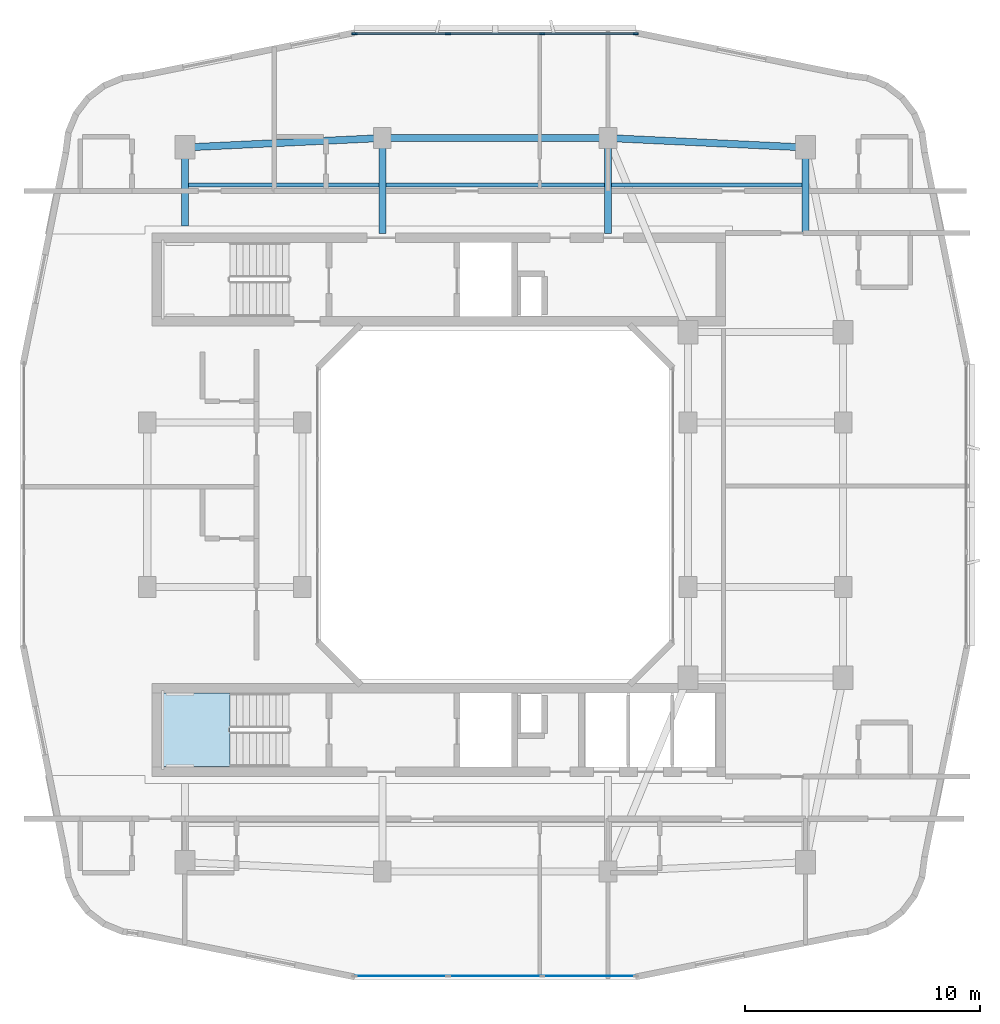
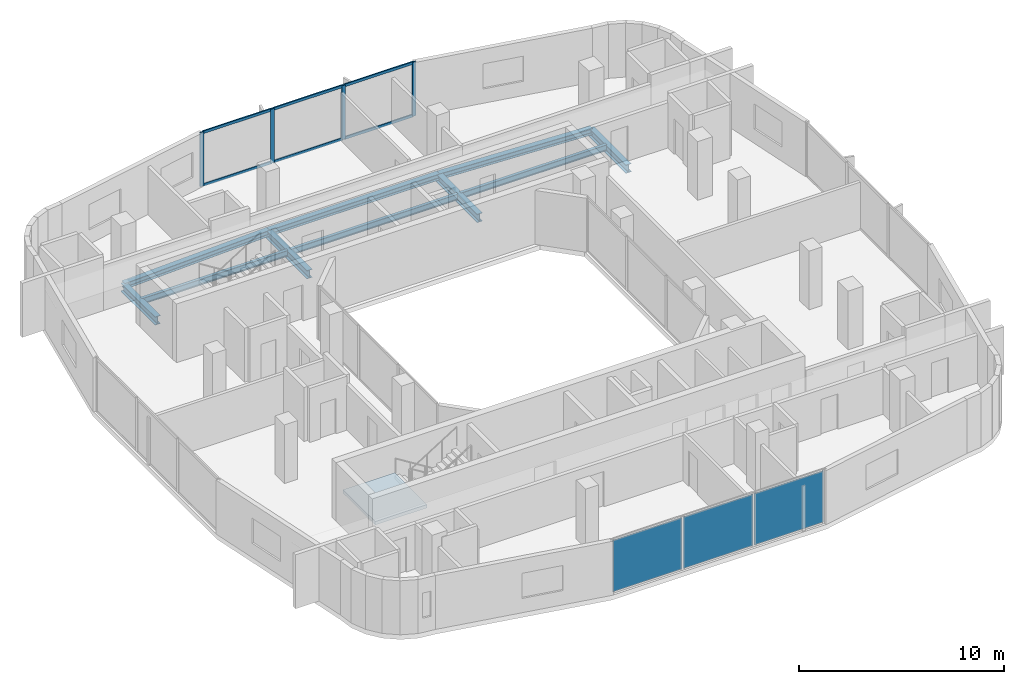
# One storey, part 5 of 14: 10 beams, 10 members, 3 plates, 1 slab, 3 elements without a shape of their own.
"""IFC4 building model written with IfcOpenShell, lengths in metres."""

from ifc_helpers import new_model, si_unit, derived_unit, direction, frame, origin, origin_2d, place, context, subcontext, project, spatial, polyline, rectangle, i_section, outline, extrude, material, layer, layer_set, material_profile, profile_set, type_object, element, aggregate, save


model = new_model("IFC4")

# Units and contexts
model_context = context("Model", 3, precision=1e-05, world=origin(), true_north=direction((0.0, 1.0)))
body_context = subcontext(model_context, "Body", "Model", "MODEL_VIEW")
ifc_project = project(units=[si_unit("LENGTHUNIT", "METRE"), si_unit("AREAUNIT", "SQUARE_METRE"), si_unit("VOLUMEUNIT", "CUBIC_METRE"), si_unit("PLANEANGLEUNIT", "RADIAN"), si_unit("MASSUNIT", "GRAM", prefix="KILO"), derived_unit("THERMALTRANSMITTANCEUNIT", [(si_unit("POWERUNIT", "WATT"), 1), (si_unit("LENGTHUNIT", "METRE"), -2), (si_unit("THERMODYNAMICTEMPERATUREUNIT", "KELVIN"), -1)])], contexts=[model_context])

# Site, building, storey
site_placement = place(None, origin())
site = spatial("IfcSite", under=ifc_project, at=site_placement, CompositionType="ELEMENT")
building_placement = place(site_placement, origin())
building = spatial("IfcBuilding", under=site, at=building_placement, Name="Kivonza Crest Hotel", CompositionType="ELEMENT")
storey_placement = place(building_placement, frame((0.0, 0.0, 138.0)))
storey = spatial("IfcBuildingStorey", under=building, at=storey_placement, Name="L37", CompositionType="ELEMENT", Elevation=138.0)

# Beams
ifc_material_1 = material(Name="Steel S355", Category="steel")
ifc_material_profile_1 = material_profile(ifc_material_1, i_section(OverallWidth=0.300048828125, OverallDepth=0.360107421875, WebThickness=0.012451171875, FlangeThickness=0.0224609375, FilletRadius=0.027099609375, at=origin_2d()), Name="HEB 360")
ifc_profile_set_1 = profile_set([ifc_material_profile_1], Name="Steel S355")
beam_type_1 = type_object("IfcBeamType", Name="BM-HEB360", PredefinedType="SPANDREL", material=ifc_profile_set_1)
beam_1_placement = place(storey_placement, frame((34.199951171875, 40.199951171875, -0.4599609375), z_axis=(-0.998867283688, 0.047583080799, 0.0), x_axis=(-0.047583080799, -0.998867283688, 0.0)))
element("IfcBeam", 1, at=beam_1_placement, inside=storey, type_object=beam_type_1, Name="Tower T1 L37 perimeter spandrel NE-N2", PredefinedType="SPANDREL", context=body_context, shape_type="SweptSolid", body=[
    extrude(i_section(OverallWidth=0.300048828125, OverallDepth=0.360107421875, WebThickness=0.012451171875, FlangeThickness=0.0224609375, FilletRadius=0.027099609375, at=origin_2d()), origin(), (0.0, 0.0, 1.0), 8.409423828125),
])
beam_2_placement = place(storey_placement, frame((25.800048828125, 40.60009765625, -0.4599609375), z_axis=(-1.0, 0.0, 0.0), x_axis=(0.0, -1.0, 0.0)))
element("IfcBeam", 2, at=beam_2_placement, inside=storey, type_object=beam_type_1, Name="Tower T1 L37 perimeter spandrel N2-N1", PredefinedType="SPANDREL", context=body_context, shape_type="SweptSolid", body=[
    extrude(i_section(OverallWidth=0.300048828125, OverallDepth=0.360107421875, WebThickness=0.012451171875, FlangeThickness=0.0224609375, FilletRadius=0.027099609375, at=origin_2d()), origin(), (0.0, 0.0, 1.0), 9.60009765625),
])
beam_3_placement = place(storey_placement, frame((16.199951171875, 40.60009765625, -0.4599609375), z_axis=(-0.998867283688, -0.047583080799, 0.0), x_axis=(0.047583080799, -0.998867283688, 0.0)))
element("IfcBeam", 3, at=beam_3_placement, inside=storey, type_object=beam_type_1, Name="Tower T1 L37 perimeter spandrel N1-NW", PredefinedType="SPANDREL", context=body_context, shape_type="SweptSolid", body=[
    extrude(i_section(OverallWidth=0.300048828125, OverallDepth=0.360107421875, WebThickness=0.012451171875, FlangeThickness=0.0224609375, FilletRadius=0.027099609375, at=origin_2d()), origin(), (0.0, 0.0, 1.0), 8.409423828125),
])
ifc_material_profile_2 = material_profile(ifc_material_1, i_section(OverallWidth=0.300048828125, OverallDepth=0.5, WebThickness=0.014404296875, FlangeThickness=0.028076171875, FilletRadius=0.027099609375, at=origin_2d()), Name="HEB 500")
ifc_profile_set_2 = profile_set([ifc_material_profile_2], Name="Steel S355")
beam_type_2 = type_object("IfcBeamType", Name="BM-HEB500", PredefinedType="BEAM", material=ifc_profile_set_2)
beam_4_placement = place(storey_placement, frame((7.800048828125, 40.199951171875, -0.530029296875), z_axis=(0.0, -1.0, 0.0), x_axis=(1.0, 0.0, 0.0)))
element("IfcBeam", 4, at=beam_4_placement, inside=storey, type_object=beam_type_2, Name="Tower T1 L37 radial core girder RNW", PredefinedType="BEAM", context=body_context, shape_type="SweptSolid", body=[
    extrude(i_section(OverallWidth=0.300048828125, OverallDepth=0.5, WebThickness=0.014404296875, FlangeThickness=0.028076171875, FilletRadius=0.027099609375, at=origin_2d()), origin(), (0.0, 0.0, 1.0), 3.349853515625),
])
for number, where, z_axis, x_axis, name in (
    (5, (16.199951171875, 40.60009765625, -0.530029296875), (0.0, -1.0, 0.0), (1.0, 0.0, 0.0), "Tower T1 L37 radial core girder RN1"),
    (6, (25.800048828125, 40.60009765625, -0.530029296875), (0.0, -1.0, 0.0), (1.0, 0.0, 0.0), "Tower T1 L37 radial core girder RN2"),
):
    element("IfcBeam", number, at=place(storey_placement, frame(where, z_axis=z_axis, x_axis=x_axis)), inside=storey, type_object=beam_type_2, Name=name, PredefinedType="BEAM", context=body_context, shape_type="SweptSolid", body=[
        extrude(i_section(OverallWidth=0.300048828125, OverallDepth=0.5, WebThickness=0.014404296875, FlangeThickness=0.028076171875, FilletRadius=0.027099609375, at=origin_2d()), origin(), (0.0, 0.0, 1.0), 4.050048828125),
    ])
beam_5_placement = place(storey_placement, frame((34.199951171875, 40.199951171875, -0.530029296875), z_axis=(0.0, -1.0, 0.0), x_axis=(1.0, 0.0, 0.0)))
element("IfcBeam", 7, at=beam_5_placement, inside=storey, type_object=beam_type_2, Name="Tower T1 L37 radial core girder RNE", PredefinedType="BEAM", context=body_context, shape_type="SweptSolid", body=[
    extrude(i_section(OverallWidth=0.300048828125, OverallDepth=0.5, WebThickness=0.014404296875, FlangeThickness=0.028076171875, FilletRadius=0.027099609375, at=origin_2d()), origin(), (0.0, 0.0, 1.0), 3.64990234375),
])
ifc_material_profile_3 = material_profile(ifc_material_1, i_section(OverallWidth=0.169921875, OverallDepth=0.360107421875, WebThickness=0.008056640625, FlangeThickness=0.0126953125, FilletRadius=0.01806640625, at=origin_2d()), Name="IPE 360")
ifc_profile_set_3 = profile_set([ifc_material_profile_3], Name="Steel S355")
beam_type_3 = type_object("IfcBeamType", Name="BM-IPE360", PredefinedType="JOIST", material=ifc_profile_set_3)
beam_6_placement = place(storey_placement, frame((7.8798828125, 38.60009765625, -0.4599609375), z_axis=(1.0, 0.0, 0.0), x_axis=(0.0, 1.0, 0.0)))
element("IfcBeam", 8, at=beam_6_placement, inside=storey, type_object=beam_type_3, Name="Tower T1 L37 North-West floor joist", PredefinedType="JOIST", context=body_context, shape_type="SweptSolid", body=[
    extrude(i_section(OverallWidth=0.169921875, OverallDepth=0.360107421875, WebThickness=0.008056640625, FlangeThickness=0.0126953125, FilletRadius=0.01806640625, at=origin_2d()), origin(), (0.0, 0.0, 1.0), 8.240234375),
])
beam_7_placement = place(storey_placement, frame((16.280029296875, 38.60009765625, -0.4599609375), z_axis=(1.0, 0.0, 0.0), x_axis=(0.0, 1.0, 0.0)))
element("IfcBeam", 9, at=beam_7_placement, inside=storey, type_object=beam_type_3, Name="Tower T1 L37 North-Mid floor joist", PredefinedType="JOIST", context=body_context, shape_type="SweptSolid", body=[
    extrude(i_section(OverallWidth=0.169921875, OverallDepth=0.360107421875, WebThickness=0.008056640625, FlangeThickness=0.0126953125, FilletRadius=0.01806640625, at=origin_2d()), origin(), (0.0, 0.0, 1.0), 9.43994140625),
])
beam_8_placement = place(storey_placement, frame((25.8798828125, 38.60009765625, -0.4599609375), z_axis=(1.0, 0.0, 0.0), x_axis=(0.0, 1.0, 0.0)))
element("IfcBeam", 10, at=beam_8_placement, inside=storey, type_object=beam_type_3, Name="Tower T1 L37 North-East floor joist", PredefinedType="JOIST", context=body_context, shape_type="SweptSolid", body=[
    extrude(i_section(OverallWidth=0.169921875, OverallDepth=0.360107421875, WebThickness=0.008056640625, FlangeThickness=0.0126953125, FilletRadius=0.01806640625, at=origin_2d()), origin(), (0.0, 0.0, 1.0), 8.240234375),
])

# Curtain wall, members
ifc_material_2 = material(Name="Anodised bronze aluminium and low-E double glazing", Category="aluminium")
ifc_layer_1 = layer(ifc_material_2, 0.179931640625)
ifc_layer_set_1 = layer_set([ifc_layer_1], Name="Anodised bronze aluminium and low-E double glazing")
curtain_wall_type = type_object("IfcCurtainWallType", Name="CW-SYS-3", PredefinedType="NOTDEFINED", material=ifc_layer_set_1)
curtain_wall_1_placement = place(storey_placement, origin())
curtain_wall_1 = element("IfcCurtainWall", 11, at=curtain_wall_1_placement, inside=storey, type_object=curtain_wall_type, Name="L37 unitised curtain wall CW-T1-L37-26", PredefinedType="NOTDEFINED")
ifc_material_3 = material(Name="Anodised bronze aluminium", Category="aluminium")
ifc_material_profile_4 = material_profile(ifc_material_3, rectangle(XDim=0.074951171875, YDim=0.219970703125, at=origin_2d()), Name="CW-M 75x220")
ifc_profile_set_4 = profile_set([ifc_material_profile_4], Name="Anodised bronze aluminium")
member_type_1 = type_object("IfcMemberType", Name="CW-MUL-75x220", PredefinedType="MULLION", material=ifc_profile_set_4)
member_1_placement = place(storey_placement, frame((26.982421875, 45.0400390625, 0.0), z_axis=(0.0, 0.0, 1.0), x_axis=(0.0, -1.0, 0.0)))
member_1 = element("IfcMember", 12, at=member_1_placement, type_object=member_type_1, Name="CW-3 mullion 1", PredefinedType="MULLION", context=body_context, shape_type="SweptSolid", body=[
    extrude(rectangle(XDim=0.074951171875, YDim=0.219970703125, at=origin_2d()), origin(), (0.0, 0.0, 1.0), 3.219970703125),
])
member_2_placement = place(storey_placement, frame((23.006591796875, 45.0400390625, 0.0), z_axis=(0.0, 0.0, 1.0), x_axis=(0.0, -1.0, 0.0)))
member_2 = element("IfcMember", 13, at=member_2_placement, type_object=member_type_1, Name="CW-3 mullion 2", PredefinedType="MULLION", context=body_context, shape_type="SweptSolid", body=[
    extrude(rectangle(XDim=0.074951171875, YDim=0.219970703125, at=origin_2d()), origin(), (0.0, 0.0, 1.0), 3.219970703125),
])
member_3_placement = place(storey_placement, frame((18.993408203125, 45.0400390625, 0.0), z_axis=(0.0, 0.0, 1.0), x_axis=(0.0, -1.0, 0.0)))
member_3 = element("IfcMember", 14, at=member_3_placement, type_object=member_type_1, Name="CW-3 mullion 3", PredefinedType="MULLION", context=body_context, shape_type="SweptSolid", body=[
    extrude(rectangle(XDim=0.074951171875, YDim=0.219970703125, at=origin_2d()), origin(), (0.0, 0.0, 1.0), 3.219970703125),
])
member_4_placement = place(storey_placement, frame((15.017578125, 45.0400390625, 0.0), z_axis=(0.0, 0.0, 1.0), x_axis=(0.0, -1.0, 0.0)))
member_4 = element("IfcMember", 15, at=member_4_placement, type_object=member_type_1, Name="CW-3 mullion 4", PredefinedType="MULLION", context=body_context, shape_type="SweptSolid", body=[
    extrude(rectangle(XDim=0.074951171875, YDim=0.219970703125, at=origin_2d()), origin(), (0.0, 0.0, 1.0), 3.219970703125),
])
ifc_material_profile_5 = material_profile(ifc_material_3, rectangle(XDim=0.074951171875, YDim=0.159912109375, at=origin_2d()), Name="CW-T 75x160")
ifc_profile_set_5 = profile_set([ifc_material_profile_5], Name="Anodised bronze aluminium")
member_type_2 = type_object("IfcMemberType", Name="CW-TRN-75x160", PredefinedType="USERDEFINED", material=ifc_profile_set_5)
member_5_placement = place(storey_placement, frame((26.945068359375, 45.0400390625, 0.03759765625), z_axis=(-1.0, 0.0, 0.0), x_axis=(0.0, -1.0, 0.0)))
member_5 = element("IfcMember", 16, at=member_5_placement, type_object=member_type_2, Name="CW-3 transom 1.1", ObjectType="TRANSOM", PredefinedType="USERDEFINED", context=body_context, shape_type="SweptSolid", body=[
    extrude(rectangle(XDim=0.074951171875, YDim=0.159912109375, at=origin_2d()), origin(), (0.0, 0.0, 1.0), 3.90087890625),
])
member_6_placement = place(storey_placement, frame((26.945068359375, 45.0400390625, 3.1826171875), z_axis=(-1.0, 0.0, 0.0), x_axis=(0.0, -1.0, 0.0)))
member_6 = element("IfcMember", 17, at=member_6_placement, type_object=member_type_2, Name="CW-3 transom 1.2", ObjectType="TRANSOM", PredefinedType="USERDEFINED", context=body_context, shape_type="SweptSolid", body=[
    extrude(rectangle(XDim=0.074951171875, YDim=0.159912109375, at=origin_2d()), origin(), (0.0, 0.0, 1.0), 3.90087890625),
])
member_7_placement = place(storey_placement, frame((22.96923828125, 45.0400390625, 0.03759765625), z_axis=(-1.0, 0.0, 0.0), x_axis=(0.0, -1.0, 0.0)))
member_7 = element("IfcMember", 18, at=member_7_placement, type_object=member_type_2, Name="CW-3 transom 2.1", ObjectType="TRANSOM", PredefinedType="USERDEFINED", context=body_context, shape_type="SweptSolid", body=[
    extrude(rectangle(XDim=0.074951171875, YDim=0.159912109375, at=origin_2d()), origin(), (0.0, 0.0, 1.0), 3.9384765625),
])
member_8_placement = place(storey_placement, frame((22.96923828125, 45.0400390625, 3.1826171875), z_axis=(-1.0, 0.0, 0.0), x_axis=(0.0, -1.0, 0.0)))
member_8 = element("IfcMember", 19, at=member_8_placement, type_object=member_type_2, Name="CW-3 transom 2.2", ObjectType="TRANSOM", PredefinedType="USERDEFINED", context=body_context, shape_type="SweptSolid", body=[
    extrude(rectangle(XDim=0.074951171875, YDim=0.159912109375, at=origin_2d()), origin(), (0.0, 0.0, 1.0), 3.9384765625),
])
member_9_placement = place(storey_placement, frame((18.955810546875, 45.0400390625, 0.03759765625), z_axis=(-1.0, 0.0, 0.0), x_axis=(0.0, -1.0, 0.0)))
member_9 = element("IfcMember", 20, at=member_9_placement, type_object=member_type_2, Name="CW-3 transom 3.1", ObjectType="TRANSOM", PredefinedType="USERDEFINED", context=body_context, shape_type="SweptSolid", body=[
    extrude(rectangle(XDim=0.074951171875, YDim=0.159912109375, at=origin_2d()), origin(), (0.0, 0.0, 1.0), 3.90087890625),
])
member_10_placement = place(storey_placement, frame((18.955810546875, 45.0400390625, 3.1826171875), z_axis=(-1.0, 0.0, 0.0), x_axis=(0.0, -1.0, 0.0)))
member_10 = element("IfcMember", 21, at=member_10_placement, type_object=member_type_2, Name="CW-3 transom 3.2", ObjectType="TRANSOM", PredefinedType="USERDEFINED", context=body_context, shape_type="SweptSolid", body=[
    extrude(rectangle(XDim=0.074951171875, YDim=0.159912109375, at=origin_2d()), origin(), (0.0, 0.0, 1.0), 3.90087890625),
])
aggregate(curtain_wall_1, [member_1, member_2, member_3, member_4, member_5, member_6, member_7, member_8, member_9, member_10])

# Curtain wall, plates
curtain_wall_2_placement = place(storey_placement, origin())
curtain_wall_2 = element("IfcCurtainWall", 22, at=curtain_wall_2_placement, inside=storey, type_object=curtain_wall_type, Name="L37 unitised curtain wall CW-T1-L37-08", PredefinedType="NOTDEFINED")
ifc_material_4 = material(Name="Acoustic triple-laminated low-E glazing", Category="glass")
ifc_layer_2 = layer(ifc_material_4, 0.035888671875)
ifc_layer_set_2 = layer_set([ifc_layer_2], Name="Acoustic triple-laminated low-E glazing")
plate_type = type_object("IfcPlateType", Name="CW-PNL-36", PredefinedType="CURTAIN_PANEL", material=ifc_layer_set_2)
plate_1_placement = place(storey_placement, frame((17.00537109375, 4.9599609375, 0.0751953125), z_axis=(0.0, 0.0, 1.0), x_axis=(1.0, 0.0, 0.0)))
plate_1 = element("IfcPlate", 23, at=plate_1_placement, type_object=plate_type, Name="CW-3 panel 1.1", PredefinedType="CURTAIN_PANEL", context=body_context, shape_type="SweptSolid", body=[
    extrude(rectangle(XDim=3.90087890625, YDim=0.035888671875, at=origin_2d()), origin(), (0.0, 0.0, 1.0), 3.070068359375),
])
plate_2_placement = place(storey_placement, frame((21.0, 4.9599609375, 0.0751953125), z_axis=(0.0, 0.0, 1.0), x_axis=(1.0, 0.0, 0.0)))
plate_2 = element("IfcPlate", 24, at=plate_2_placement, type_object=plate_type, Name="CW-3 panel 2.1", PredefinedType="CURTAIN_PANEL", context=body_context, shape_type="SweptSolid", body=[
    extrude(rectangle(XDim=3.938232421875, YDim=0.035888671875, at=origin_2d()), origin(), (0.0, 0.0, 1.0), 3.070068359375),
])
plate_3_placement = place(storey_placement, frame((24.99462890625, 4.9599609375, 0.0751953125), z_axis=(0.0, 0.0, 1.0), x_axis=(1.0, 0.0, 0.0)))
plate_3 = element("IfcPlate", 25, at=plate_3_placement, type_object=plate_type, Name="CW-3 panel 3.1", PredefinedType="CURTAIN_PANEL", context=body_context, shape_type="SweptSolid", body=[
    extrude(rectangle(XDim=3.90087890625, YDim=0.035888671875, at=origin_2d()), origin(), (0.0, 0.0, 1.0), 3.070068359375),
])
aggregate(curtain_wall_2, [plate_1, plate_2, plate_3])

# Stair, slab
ifc_material_5 = material(Name="Concrete C40/50", Category="concrete")
stair_type = type_object("IfcStairType", Name="ST-DL-20R", PredefinedType="HALF_TURN_STAIR", material=ifc_material_5)
stair_placement = place(storey_placement, origin())
stair = element("IfcStair", 26, at=stair_placement, inside=storey, type_object=stair_type, Name="L37 Protected Exit Stair ST-T1-S", PredefinedType="HALF_TURN_STAIR")
ifc_layer_3 = layer(ifc_material_5, 0.199951171875)
ifc_layer_set_3 = layer_set([ifc_layer_3], Name="Concrete C40/50")
slab_type = type_object("IfcSlabType", Name="SL-LAND-200", PredefinedType="LANDING", material=ifc_layer_set_3)
slab_placement = place(storey_placement, frame((0.0, 0.0, 1.550048828125)))
slab = element("IfcSlab", 27, at=slab_placement, type_object=slab_type, Name="ST-T1-S landing 1", PredefinedType="LANDING", context=body_context, shape_type="SweptSolid", body=[
    extrude(outline(polyline([(9.719970703125, 17.0), (6.800048828125, 17.0), (6.800048828125, 13.860107421875), (9.719970703125, 13.860107421875), (9.719970703125, 17.0)])), origin(), (0.0, 0.0, 1.0), 0.199951171875),
])
aggregate(stair, [slab])

save(model, "model.ifc")
